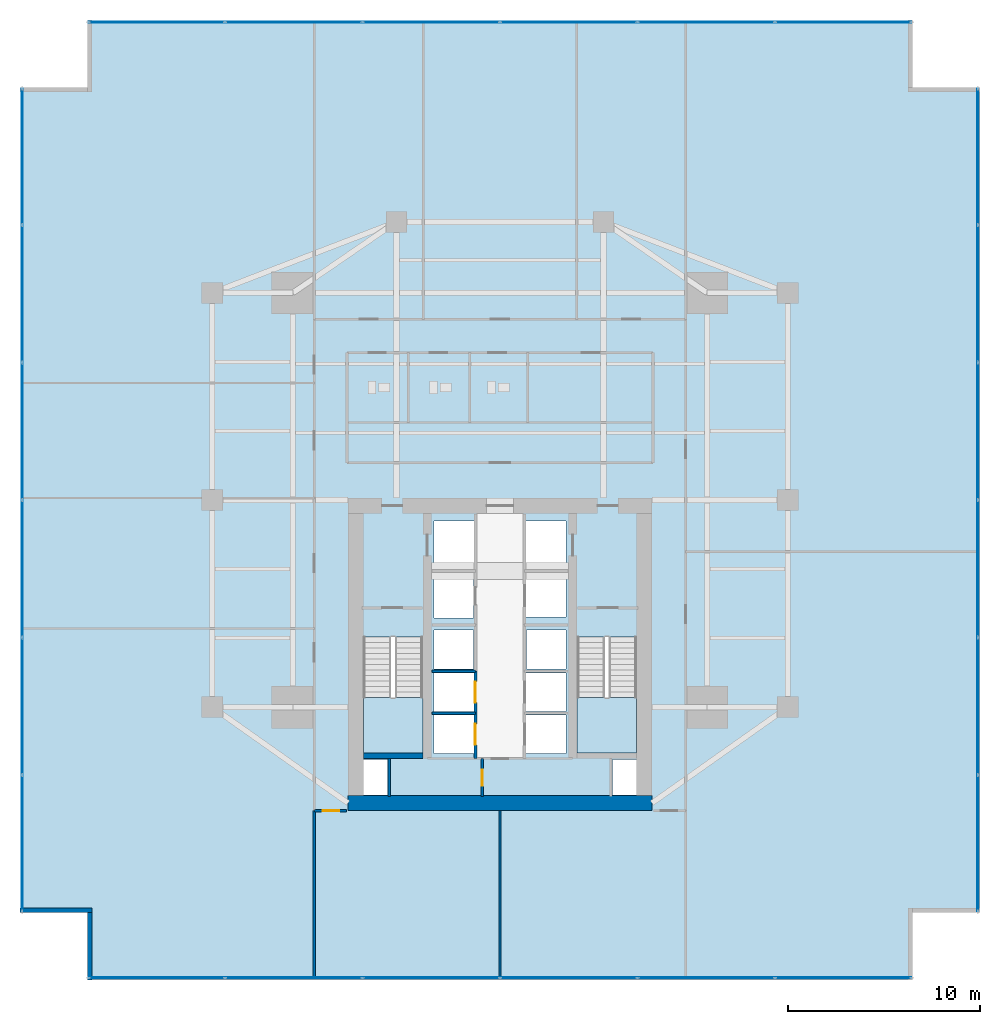
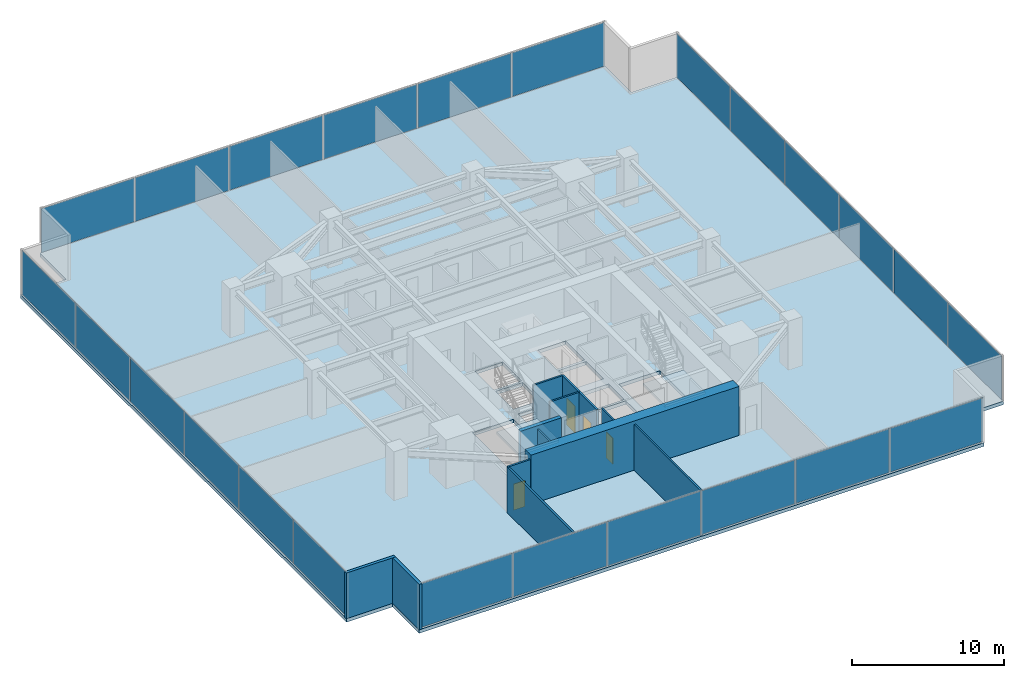
# One storey, part 24 of 28: 24 plates, 12 walls, 4 doors, 3 slabs, 4 openings, 6 elements without a shape of their own.
"""IFC4 building model written with IfcOpenShell, lengths in metres."""

from ifc_helpers import new_model, si_unit, direction, frame, frame_2d, origin, origin_2d, place, context, subcontext, project, spatial, polyline, rectangle, outline, extrude, source, transform, mapped, material, layer, layer_set, type_object, type_shapes, element, fill, aggregate, save


model = new_model("IFC4")

# Units and contexts
model_context = context("Model", 3, precision=1e-05, world=origin(), true_north=direction((0.0, 1.0)))
body_context = subcontext(model_context, "Body", "Model", "MODEL_VIEW")
ifc_project = project(units=[si_unit("LENGTHUNIT", "METRE"), si_unit("AREAUNIT", "SQUARE_METRE"), si_unit("VOLUMEUNIT", "CUBIC_METRE"), si_unit("PLANEANGLEUNIT", "RADIAN"), si_unit("MASSUNIT", "GRAM", prefix="KILO")], contexts=[model_context])

# Site, building, storey
site_placement = place(None, origin())
site = spatial("IfcSite", under=ifc_project, at=site_placement, CompositionType="ELEMENT")
building_placement = place(site_placement, origin())
building = spatial("IfcBuilding", under=site, at=building_placement, Name="Krantzveldt Concourse Tower", CompositionType="ELEMENT")
storey_placement = place(building_placement, frame((0.0, 0.0, 32.89990234375)))
storey = spatial("IfcBuildingStorey", under=building, at=storey_placement, Name="L07", CompositionType="ELEMENT", Elevation=32.89990234375)

# Stair, slab
ifc_material_1 = material(Name="Precast concrete C40/50", Category="concrete")
stair_type = type_object("IfcStairType", Name="STR-CORE-DOGLEG", PredefinedType="HALF_TURN_STAIR", material=ifc_material_1)
stair_1_placement = place(storey_placement, origin())
stair_1 = element("IfcStair", 1, at=stair_1_placement, inside=storey, type_object=stair_type, Name="L07 Protected Escape Stair ST-1", PredefinedType="HALF_TURN_STAIR")
ifc_layer_1 = layer(ifc_material_1, 0.199951171875, Name="Precast concrete C40/50", Category="concrete")
ifc_layer_set_1 = layer_set([ifc_layer_1], Name="Precast concrete C40/50 (SL-LANDING-200)")
slab_type_1 = type_object("IfcSlabType", Name="SL-LANDING-200", PredefinedType="LANDING", material=ifc_layer_set_1)
slab_1_placement = place(storey_placement, frame((0.0, 0.0, 1.775146484375)))
slab_1 = element("IfcSlab", 2, at=slab_1_placement, type_object=slab_type_1, Name="ST-1 landing 1", PredefinedType="LANDING", context=body_context, shape_type="SweptSolid", body=[
    extrude(outline(polyline([(28.8798828125, 16.4150390625), (28.8798828125, 13.52001953125), (31.97998046875, 13.52001953125), (31.97998046875, 16.4150390625), (28.8798828125, 16.4150390625)])), origin(), (0.0, 0.0, 1.0), 0.199951171875),
])
aggregate(stair_1, [slab_1])

stair_2_placement = place(storey_placement, origin())
stair_2 = element("IfcStair", 3, at=stair_2_placement, inside=storey, type_object=stair_type, Name="L07 Protected Escape Stair ST-2", PredefinedType="HALF_TURN_STAIR")
slab_2_placement = place(storey_placement, frame((0.0, 0.0, 1.775146484375)))
slab_2 = element("IfcSlab", 4, at=slab_2_placement, type_object=slab_type_1, Name="ST-2 landing 1", PredefinedType="LANDING", context=body_context, shape_type="SweptSolid", body=[
    extrude(outline(polyline([(40.02001953125, 16.4150390625), (40.02001953125, 13.52001953125), (43.1201171875, 13.52001953125), (43.1201171875, 16.4150390625), (40.02001953125, 16.4150390625)])), origin(), (0.0, 0.0, 1.0), 0.199951171875),
])
aggregate(stair_2, [slab_2])

# Slab
ifc_material_2 = material(Name="Concrete C40/50", Category="concrete")
ifc_layer_2 = layer(ifc_material_2, 0.280029296875, Name="Concrete C40/50", Category="concrete")
ifc_layer_set_2 = layer_set([ifc_layer_2], Name="Concrete C40/50 (SL-SL-TWR280)")
slab_type_2 = type_object("IfcSlabType", Name="SL-SL-TWR280", PredefinedType="FLOOR", material=ifc_layer_set_2)
slab_3_placement = place(storey_placement, frame((0.0, 0.0, -0.27978515625)))
element("IfcSlab", 5, at=slab_3_placement, inside=storey, type_object=slab_type_2, Name="SL-L07-MAIN", PredefinedType="FLOOR", context=body_context, shape_type="SweptSolid", body=[
    extrude(outline(polyline([(14.5, 48.199951171875), (11.0, 48.199951171875), (11.0, 5.199951171875), (14.5, 5.199951171875), (14.5, 1.699951171875), (57.5, 1.699951171875), (57.5, 5.199951171875), (61.0, 5.199951171875), (61.0, 48.199951171875), (57.5, 48.199951171875), (57.5, 51.699951171875), (14.5, 51.699951171875), (14.5, 48.199951171875)]), holes=[polyline([(28.8798828125, 19.547607421875), (28.8798828125, 13.52001953125), (31.97998046875, 13.52001953125), (31.97998046875, 19.547607421875), (28.8798828125, 19.547607421875)]), polyline([(40.02001953125, 19.547607421875), (40.02001953125, 13.52001953125), (43.1201171875, 13.52001953125), (43.1201171875, 19.547607421875), (40.02001953125, 19.547607421875)]), polyline([(32.550048828125, 23.10009765625), (34.64990234375, 23.10009765625), (34.64990234375, 25.60009765625), (32.550048828125, 25.60009765625), (32.550048828125, 23.10009765625)]), polyline([(37.35009765625, 23.10009765625), (39.449951171875, 23.10009765625), (39.449951171875, 25.60009765625), (37.35009765625, 25.60009765625), (37.35009765625, 23.10009765625)]), polyline([(37.35009765625, 20.60009765625), (39.449951171875, 20.60009765625), (39.449951171875, 22.89990234375), (37.35009765625, 22.89990234375), (37.35009765625, 20.60009765625)]), polyline([(32.550048828125, 13.47998046875), (34.64990234375, 13.47998046875), (34.64990234375, 15.47998046875), (32.550048828125, 15.47998046875), (32.550048828125, 13.47998046875)]), polyline([(32.550048828125, 15.679931640625), (34.64990234375, 15.679931640625), (34.64990234375, 17.679931640625), (32.550048828125, 17.679931640625), (32.550048828125, 15.679931640625)]), polyline([(37.35009765625, 13.47998046875), (39.449951171875, 13.47998046875), (39.449951171875, 15.47998046875), (37.35009765625, 15.47998046875), (37.35009765625, 13.47998046875)]), polyline([(37.35009765625, 15.679931640625), (39.449951171875, 15.679931640625), (39.449951171875, 17.679931640625), (37.35009765625, 17.679931640625), (37.35009765625, 15.679931640625)]), polyline([(32.550048828125, 20.550048828125), (34.6201171875, 20.550048828125), (34.6201171875, 22.89990234375), (32.550048828125, 22.89990234375), (32.550048828125, 20.550048828125)]), polyline([(32.550048828125, 17.8798828125), (34.6201171875, 17.8798828125), (34.6201171875, 19.919921875), (32.550048828125, 19.919921875), (32.550048828125, 17.8798828125)]), polyline([(37.3798828125, 17.8798828125), (39.449951171875, 17.8798828125), (39.449951171875, 19.919921875), (37.3798828125, 19.919921875), (37.3798828125, 17.8798828125)]), polyline([(28.8798828125, 11.320068359375), (30.139892578125, 11.320068359375), (30.139892578125, 13.159912109375), (28.8798828125, 13.159912109375), (28.8798828125, 11.320068359375)]), polyline([(41.860107421875, 11.320068359375), (43.1201171875, 11.320068359375), (43.1201171875, 13.159912109375), (41.860107421875, 13.159912109375), (41.860107421875, 11.320068359375)])]), origin(), (0.0, 0.0, 1.0), 0.27978515625),
])

# Curtain wall, plates
ifc_material_3 = material(Name="Anodised aluminium 6063-T6", Category="aluminium")
curtain_wall_type = type_object("IfcCurtainWallType", Name="CW2", PredefinedType="USERDEFINED", material=ifc_material_3)
curtain_wall_1_placement = place(storey_placement, origin())
curtain_wall_1 = element("IfcCurtainWall", 6, at=curtain_wall_1_placement, inside=storey, type_object=curtain_wall_type, Name="CW-L07-F01", ObjectType="UNITISED CURTAIN WALL", PredefinedType="USERDEFINED")
ifc_material_4 = material(Name="Bronze-tinted laminated low-E IGU glass", Category="glass")
ifc_layer_3 = layer(ifc_material_4, 0.031982421875, Name="Bronze-tinted laminated low-E IGU glass", Category="glass")
ifc_layer_set_3 = layer_set([ifc_layer_3], Name="Bronze-tinted laminated low-E IGU glass (CW-GLZ-32)")
plate_type = type_object("IfcPlateType", Name="CW-GLZ-32", PredefinedType="CURTAIN_PANEL", material=ifc_layer_set_3)
shared_shape_1 = source(origin(), body_context, "Body", "SweptSolid", [
    extrude(rectangle(XDim=7.061767578125, YDim=0.031982421875, at=origin_2d()), origin(), (0.0, 0.0, 1.0), 3.530029296875),
])
plate_1_placement = place(storey_placement, frame((11.090087890625, 44.59912109375, 0.0703125), z_axis=(0.0, 0.0, 1.0), x_axis=(0.0, -1.0, 0.0)))
plate_1 = element("IfcPlate", 7, at=plate_1_placement, type_object=plate_type, Name="CW-Z12 panel 1.1", PredefinedType="CURTAIN_PANEL", context=body_context, shape_type="MappedRepresentation", body=[
    mapped(shared_shape_1, transform((0.0, 0.0, 0.0), x_axis=(1.0, 0.0, 0.0), y_axis=(0.0, 1.0, 0.0), z_axis=(0.0, 0.0, 1.0), scale=1.0)),
])
plate_2_placement = place(storey_placement, frame((11.090087890625, 8.80078125, 0.0703125), z_axis=(0.0, 0.0, 1.0), x_axis=(0.0, -1.0, 0.0)))
plate_2 = element("IfcPlate", 8, at=plate_2_placement, type_object=plate_type, Name="CW-Z12 panel 6.1", PredefinedType="CURTAIN_PANEL", context=body_context, shape_type="MappedRepresentation", body=[
    mapped(shared_shape_1, transform((0.0, 0.0, 0.0), x_axis=(1.0, 0.0, 0.0), y_axis=(0.0, 1.0, 0.0), z_axis=(0.0, 0.0, 1.0), scale=1.0)),
])

curtain_wall_2_placement = place(storey_placement, origin())
curtain_wall_2 = element("IfcCurtainWall", 9, at=curtain_wall_2_placement, inside=storey, type_object=curtain_wall_type, Name="CW-L07-F04", ObjectType="UNITISED CURTAIN WALL", PredefinedType="USERDEFINED")
plate_3_placement = place(storey_placement, frame((18.100830078125, 1.7900390625, 0.0703125), z_axis=(0.0, 0.0, 1.0), x_axis=(1.0, 0.0, 0.0)))
plate_3 = element("IfcPlate", 10, at=plate_3_placement, type_object=plate_type, Name="CW-Z12 panel 1.1", PredefinedType="CURTAIN_PANEL", context=body_context, shape_type="MappedRepresentation", body=[
    mapped(shared_shape_1, transform((0.0, 0.0, 0.0), x_axis=(1.0, 0.0, 0.0), y_axis=(0.0, 1.0, 0.0), z_axis=(0.0, 0.0, 1.0), scale=1.0)),
])
plate_4_placement = place(storey_placement, frame((53.899169921875, 1.7900390625, 0.0703125), z_axis=(0.0, 0.0, 1.0), x_axis=(1.0, 0.0, 0.0)))
plate_4 = element("IfcPlate", 11, at=plate_4_placement, type_object=plate_type, Name="CW-Z12 panel 6.1", PredefinedType="CURTAIN_PANEL", context=body_context, shape_type="MappedRepresentation", body=[
    mapped(shared_shape_1, transform((0.0, 0.0, 0.0), x_axis=(1.0, 0.0, 0.0), y_axis=(0.0, 1.0, 0.0), z_axis=(0.0, 0.0, 1.0), scale=1.0)),
])

curtain_wall_3_placement = place(storey_placement, origin())
curtain_wall_3 = element("IfcCurtainWall", 12, at=curtain_wall_3_placement, inside=storey, type_object=curtain_wall_type, Name="CW-L07-F07", ObjectType="UNITISED CURTAIN WALL", PredefinedType="USERDEFINED")
plate_5_placement = place(storey_placement, frame((60.909912109375, 8.80078125, 0.0703125), z_axis=(0.0, 0.0, 1.0), x_axis=(0.0, 1.0, 0.0)))
plate_5 = element("IfcPlate", 13, at=plate_5_placement, type_object=plate_type, Name="CW-Z12 panel 1.1", PredefinedType="CURTAIN_PANEL", context=body_context, shape_type="MappedRepresentation", body=[
    mapped(shared_shape_1, transform((0.0, 0.0, 0.0), x_axis=(1.0, 0.0, 0.0), y_axis=(0.0, 1.0, 0.0), z_axis=(0.0, 0.0, 1.0), scale=1.0)),
])
plate_6_placement = place(storey_placement, frame((60.909912109375, 44.59912109375, 0.0703125), z_axis=(0.0, 0.0, 1.0), x_axis=(0.0, 1.0, 0.0)))
plate_6 = element("IfcPlate", 14, at=plate_6_placement, type_object=plate_type, Name="CW-Z12 panel 6.1", PredefinedType="CURTAIN_PANEL", context=body_context, shape_type="MappedRepresentation", body=[
    mapped(shared_shape_1, transform((0.0, 0.0, 0.0), x_axis=(1.0, 0.0, 0.0), y_axis=(0.0, 1.0, 0.0), z_axis=(0.0, 0.0, 1.0), scale=1.0)),
])

curtain_wall_4_placement = place(storey_placement, origin())
curtain_wall_4 = element("IfcCurtainWall", 15, at=curtain_wall_4_placement, inside=storey, type_object=curtain_wall_type, Name="CW-L07-F10", ObjectType="UNITISED CURTAIN WALL", PredefinedType="USERDEFINED")
plate_7_placement = place(storey_placement, frame((53.899169921875, 51.610107421875, 0.0703125), z_axis=(0.0, 0.0, 1.0), x_axis=(-1.0, 0.0, 0.0)))
plate_7 = element("IfcPlate", 16, at=plate_7_placement, type_object=plate_type, Name="CW-Z12 panel 1.1", PredefinedType="CURTAIN_PANEL", context=body_context, shape_type="MappedRepresentation", body=[
    mapped(shared_shape_1, transform((0.0, 0.0, 0.0), x_axis=(1.0, 0.0, 0.0), y_axis=(0.0, 1.0, 0.0), z_axis=(0.0, 0.0, 1.0), scale=1.0)),
])
plate_8_placement = place(storey_placement, frame((18.100830078125, 51.610107421875, 0.0703125), z_axis=(0.0, 0.0, 1.0), x_axis=(-1.0, 0.0, 0.0)))
plate_8 = element("IfcPlate", 17, at=plate_8_placement, type_object=plate_type, Name="CW-Z12 panel 6.1", PredefinedType="CURTAIN_PANEL", context=body_context, shape_type="MappedRepresentation", body=[
    mapped(shared_shape_1, transform((0.0, 0.0, 0.0), x_axis=(1.0, 0.0, 0.0), y_axis=(0.0, 1.0, 0.0), z_axis=(0.0, 0.0, 1.0), scale=1.0)),
])

# Plate
shared_shape_2 = source(origin(), body_context, "Body", "SweptSolid", [
    extrude(rectangle(XDim=7.0966796875, YDim=0.031982421875, at=origin_2d()), origin(), (0.0, 0.0, 1.0), 3.530029296875),
])
type_shapes(plate_type, [shared_shape_1, shared_shape_2])
plate_9_placement = place(storey_placement, frame((11.090087890625, 37.449951171875, 0.0703125), z_axis=(0.0, 0.0, 1.0), x_axis=(0.0, -1.0, 0.0)))
plate_9 = element("IfcPlate", 18, at=plate_9_placement, type_object=plate_type, Name="CW-Z12 panel 2.1", PredefinedType="CURTAIN_PANEL", context=body_context, shape_type="MappedRepresentation", body=[
    mapped(shared_shape_2, transform((0.0, 0.0, 0.0), x_axis=(1.0, 0.0, 0.0), y_axis=(0.0, 1.0, 0.0), z_axis=(0.0, 0.0, 1.0), scale=1.0)),
])

plate_10_placement = place(storey_placement, frame((11.090087890625, 30.283447265625, 0.0703125), z_axis=(0.0, 0.0, 1.0), x_axis=(0.0, -1.0, 0.0)))
plate_10 = element("IfcPlate", 19, at=plate_10_placement, type_object=plate_type, Name="CW-Z12 panel 3.1", PredefinedType="CURTAIN_PANEL", context=body_context, shape_type="MappedRepresentation", body=[
    mapped(shared_shape_2, transform((0.0, 0.0, 0.0), x_axis=(1.0, 0.0, 0.0), y_axis=(0.0, 1.0, 0.0), z_axis=(0.0, 0.0, 1.0), scale=1.0)),
])

plate_11_placement = place(storey_placement, frame((11.090087890625, 23.11669921875, 0.0703125), z_axis=(0.0, 0.0, 1.0), x_axis=(0.0, -1.0, 0.0)))
plate_11 = element("IfcPlate", 20, at=plate_11_placement, type_object=plate_type, Name="CW-Z12 panel 4.1", PredefinedType="CURTAIN_PANEL", context=body_context, shape_type="MappedRepresentation", body=[
    mapped(shared_shape_2, transform((0.0, 0.0, 0.0), x_axis=(1.0, 0.0, 0.0), y_axis=(0.0, 1.0, 0.0), z_axis=(0.0, 0.0, 1.0), scale=1.0)),
])

plate_12_placement = place(storey_placement, frame((11.090087890625, 15.949951171875, 0.0703125), z_axis=(0.0, 0.0, 1.0), x_axis=(0.0, -1.0, 0.0)))
plate_12 = element("IfcPlate", 21, at=plate_12_placement, type_object=plate_type, Name="CW-Z12 panel 5.1", PredefinedType="CURTAIN_PANEL", context=body_context, shape_type="MappedRepresentation", body=[
    mapped(shared_shape_2, transform((0.0, 0.0, 0.0), x_axis=(1.0, 0.0, 0.0), y_axis=(0.0, 1.0, 0.0), z_axis=(0.0, 0.0, 1.0), scale=1.0)),
])

aggregate(curtain_wall_1, [plate_1, plate_9, plate_10, plate_11, plate_12, plate_2])

plate_13_placement = place(storey_placement, frame((25.25, 1.7900390625, 0.0703125), z_axis=(0.0, 0.0, 1.0), x_axis=(1.0, 0.0, 0.0)))
plate_13 = element("IfcPlate", 22, at=plate_13_placement, type_object=plate_type, Name="CW-Z12 panel 2.1", PredefinedType="CURTAIN_PANEL", context=body_context, shape_type="MappedRepresentation", body=[
    mapped(shared_shape_2, transform((0.0, 0.0, 0.0), x_axis=(1.0, 0.0, 0.0), y_axis=(0.0, 1.0, 0.0), z_axis=(0.0, 0.0, 1.0), scale=1.0)),
])

plate_14_placement = place(storey_placement, frame((32.416748046875, 1.7900390625, 0.0703125), z_axis=(0.0, 0.0, 1.0), x_axis=(1.0, 0.0, 0.0)))
plate_14 = element("IfcPlate", 23, at=plate_14_placement, type_object=plate_type, Name="CW-Z12 panel 3.1", PredefinedType="CURTAIN_PANEL", context=body_context, shape_type="MappedRepresentation", body=[
    mapped(shared_shape_2, transform((0.0, 0.0, 0.0), x_axis=(1.0, 0.0, 0.0), y_axis=(0.0, 1.0, 0.0), z_axis=(0.0, 0.0, 1.0), scale=1.0)),
])

plate_15_placement = place(storey_placement, frame((39.583251953125, 1.7900390625, 0.0703125), z_axis=(0.0, 0.0, 1.0), x_axis=(1.0, 0.0, 0.0)))
plate_15 = element("IfcPlate", 24, at=plate_15_placement, type_object=plate_type, Name="CW-Z12 panel 4.1", PredefinedType="CURTAIN_PANEL", context=body_context, shape_type="MappedRepresentation", body=[
    mapped(shared_shape_2, transform((0.0, 0.0, 0.0), x_axis=(1.0, 0.0, 0.0), y_axis=(0.0, 1.0, 0.0), z_axis=(0.0, 0.0, 1.0), scale=1.0)),
])

plate_16_placement = place(storey_placement, frame((46.75, 1.7900390625, 0.0703125), z_axis=(0.0, 0.0, 1.0), x_axis=(1.0, 0.0, 0.0)))
plate_16 = element("IfcPlate", 25, at=plate_16_placement, type_object=plate_type, Name="CW-Z12 panel 5.1", PredefinedType="CURTAIN_PANEL", context=body_context, shape_type="MappedRepresentation", body=[
    mapped(shared_shape_2, transform((0.0, 0.0, 0.0), x_axis=(1.0, 0.0, 0.0), y_axis=(0.0, 1.0, 0.0), z_axis=(0.0, 0.0, 1.0), scale=1.0)),
])

aggregate(curtain_wall_2, [plate_3, plate_13, plate_14, plate_15, plate_16, plate_4])

plate_17_placement = place(storey_placement, frame((60.909912109375, 15.949951171875, 0.0703125), z_axis=(0.0, 0.0, 1.0), x_axis=(0.0, 1.0, 0.0)))
plate_17 = element("IfcPlate", 26, at=plate_17_placement, type_object=plate_type, Name="CW-Z12 panel 2.1", PredefinedType="CURTAIN_PANEL", context=body_context, shape_type="MappedRepresentation", body=[
    mapped(shared_shape_2, transform((0.0, 0.0, 0.0), x_axis=(1.0, 0.0, 0.0), y_axis=(0.0, 1.0, 0.0), z_axis=(0.0, 0.0, 1.0), scale=1.0)),
])

plate_18_placement = place(storey_placement, frame((60.909912109375, 23.11669921875, 0.0703125), z_axis=(0.0, 0.0, 1.0), x_axis=(0.0, 1.0, 0.0)))
plate_18 = element("IfcPlate", 27, at=plate_18_placement, type_object=plate_type, Name="CW-Z12 panel 3.1", PredefinedType="CURTAIN_PANEL", context=body_context, shape_type="MappedRepresentation", body=[
    mapped(shared_shape_2, transform((0.0, 0.0, 0.0), x_axis=(1.0, 0.0, 0.0), y_axis=(0.0, 1.0, 0.0), z_axis=(0.0, 0.0, 1.0), scale=1.0)),
])

plate_19_placement = place(storey_placement, frame((60.909912109375, 30.283447265625, 0.0703125), z_axis=(0.0, 0.0, 1.0), x_axis=(0.0, 1.0, 0.0)))
plate_19 = element("IfcPlate", 28, at=plate_19_placement, type_object=plate_type, Name="CW-Z12 panel 4.1", PredefinedType="CURTAIN_PANEL", context=body_context, shape_type="MappedRepresentation", body=[
    mapped(shared_shape_2, transform((0.0, 0.0, 0.0), x_axis=(1.0, 0.0, 0.0), y_axis=(0.0, 1.0, 0.0), z_axis=(0.0, 0.0, 1.0), scale=1.0)),
])

plate_20_placement = place(storey_placement, frame((60.909912109375, 37.449951171875, 0.0703125), z_axis=(0.0, 0.0, 1.0), x_axis=(0.0, 1.0, 0.0)))
plate_20 = element("IfcPlate", 29, at=plate_20_placement, type_object=plate_type, Name="CW-Z12 panel 5.1", PredefinedType="CURTAIN_PANEL", context=body_context, shape_type="MappedRepresentation", body=[
    mapped(shared_shape_2, transform((0.0, 0.0, 0.0), x_axis=(1.0, 0.0, 0.0), y_axis=(0.0, 1.0, 0.0), z_axis=(0.0, 0.0, 1.0), scale=1.0)),
])

aggregate(curtain_wall_3, [plate_5, plate_17, plate_18, plate_19, plate_20, plate_6])

plate_21_placement = place(storey_placement, frame((46.75, 51.610107421875, 0.0703125), z_axis=(0.0, 0.0, 1.0), x_axis=(-1.0, 0.0, 0.0)))
plate_21 = element("IfcPlate", 30, at=plate_21_placement, type_object=plate_type, Name="CW-Z12 panel 2.1", PredefinedType="CURTAIN_PANEL", context=body_context, shape_type="MappedRepresentation", body=[
    mapped(shared_shape_2, transform((0.0, 0.0, 0.0), x_axis=(1.0, 0.0, 0.0), y_axis=(0.0, 1.0, 0.0), z_axis=(0.0, 0.0, 1.0), scale=1.0)),
])

plate_22_placement = place(storey_placement, frame((39.583251953125, 51.610107421875, 0.0703125), z_axis=(0.0, 0.0, 1.0), x_axis=(-1.0, 0.0, 0.0)))
plate_22 = element("IfcPlate", 31, at=plate_22_placement, type_object=plate_type, Name="CW-Z12 panel 3.1", PredefinedType="CURTAIN_PANEL", context=body_context, shape_type="MappedRepresentation", body=[
    mapped(shared_shape_2, transform((0.0, 0.0, 0.0), x_axis=(1.0, 0.0, 0.0), y_axis=(0.0, 1.0, 0.0), z_axis=(0.0, 0.0, 1.0), scale=1.0)),
])

plate_23_placement = place(storey_placement, frame((32.416748046875, 51.610107421875, 0.0703125), z_axis=(0.0, 0.0, 1.0), x_axis=(-1.0, 0.0, 0.0)))
plate_23 = element("IfcPlate", 32, at=plate_23_placement, type_object=plate_type, Name="CW-Z12 panel 4.1", PredefinedType="CURTAIN_PANEL", context=body_context, shape_type="MappedRepresentation", body=[
    mapped(shared_shape_2, transform((0.0, 0.0, 0.0), x_axis=(1.0, 0.0, 0.0), y_axis=(0.0, 1.0, 0.0), z_axis=(0.0, 0.0, 1.0), scale=1.0)),
])

plate_24_placement = place(storey_placement, frame((25.25, 51.610107421875, 0.0703125), z_axis=(0.0, 0.0, 1.0), x_axis=(-1.0, 0.0, 0.0)))
plate_24 = element("IfcPlate", 33, at=plate_24_placement, type_object=plate_type, Name="CW-Z12 panel 5.1", PredefinedType="CURTAIN_PANEL", context=body_context, shape_type="MappedRepresentation", body=[
    mapped(shared_shape_2, transform((0.0, 0.0, 0.0), x_axis=(1.0, 0.0, 0.0), y_axis=(0.0, 1.0, 0.0), z_axis=(0.0, 0.0, 1.0), scale=1.0)),
])

aggregate(curtain_wall_4, [plate_7, plate_21, plate_22, plate_23, plate_24, plate_8])

# Walls
ifc_layer_4 = layer(ifc_material_3, 0.219970703125, Name="Anodised aluminium 6063-T6", Category="aluminium")
ifc_layer_set_4 = layer_set([ifc_layer_4], Name="Anodised aluminium 6063-T6 (WL-EXT-NOTCH220)")
wall_type_1 = type_object("IfcWallType", Name="WL-EXT-NOTCH220", PredefinedType="ELEMENTEDWALL", material=ifc_layer_set_4)
wall_1_placement = place(storey_placement, frame((10.97509765625, 5.31005859375, 0.0), z_axis=(0.0, 0.0, 1.0), x_axis=(1.0, 0.0, 0.0)))
element("IfcWall", 34, at=wall_1_placement, inside=storey, type_object=wall_type_1, Name="EW-L07-NCH02", PredefinedType="ELEMENTEDWALL", context=body_context, shape_type="SweptSolid", body=[
    extrude(rectangle(XDim=3.744873046875, YDim=0.219970703125, at=frame_2d((1.87255859375, 0.0))), origin(), (0.0, 0.0, 1.0), 3.670166015625),
])
wall_2_placement = place(storey_placement, frame((14.610107421875, 5.199951171875, 0.0), z_axis=(0.0, 0.0, 1.0), x_axis=(0.0, -1.0, 0.0)))
element("IfcWall", 35, at=wall_2_placement, inside=storey, type_object=wall_type_1, Name="EW-L07-NCH03", PredefinedType="ELEMENTEDWALL", context=body_context, shape_type="SweptSolid", body=[
    extrude(rectangle(XDim=3.52490234375, YDim=0.219970703125, at=frame_2d((1.762451171875, 0.0))), origin(), (0.0, 0.0, 1.0), 3.670166015625),
])

# Wall, opening, door
ifc_material_5 = material(Name="Fire-rated gypsum plasterboard on steel stud", Category="steel")
ifc_layer_5 = layer(ifc_material_5, 0.1201171875, Name="Fire-rated gypsum plasterboard on steel stud", Category="steel")
ifc_layer_set_5 = layer_set([ifc_layer_5], Name="Fire-rated gypsum plasterboard on steel stud (WL-PART-120)")
wall_type_2 = type_object("IfcWallType", Name="WL-PART-120", PredefinedType="PARTITIONING", material=ifc_layer_set_5)
wall_3_placement = place(storey_placement, frame((35.080078125, 11.25, 0.0), z_axis=(0.0, 0.0, 1.0), x_axis=(0.0, 1.0, 0.0)))
wall_3 = element("IfcWall", 36, at=wall_3_placement, inside=storey, type_object=wall_type_2, Name="WP-L07-CSA-V", PredefinedType="PARTITIONING", context=body_context, shape_type="SweptSolid", body=[
    extrude(rectangle(XDim=1.969970703125, YDim=0.1201171875, at=frame_2d((0.98486328125, 0.0))), origin(), (0.0, 0.0, 1.0), 3.670166015625),
])
opening_1_placement = place(wall_3_placement, frame((0.544921875, 0.0, 0.0)))
opening_1 = element("IfcOpeningElement", 37, at=opening_1_placement, cuts=wall_3, Name="Opening D-IN085", PredefinedType="OPENING", context=body_context, shape_type="SweptSolid", body=[
    extrude(rectangle(XDim=0.85009765625, YDim=2.10009765625, at=frame_2d((0.425048828125, 1.050048828125))), frame((0.0, 0.070068359375, 0.0), z_axis=(0.0, -1.0, 0.0), x_axis=(1.0, 0.0, 0.0)), (0.0, 0.0, 1.0), 0.14013671875),
])
ifc_material_6 = material(Name="Hardwood timber", Category="wood")
door_type_1 = type_object("IfcDoorType", Name="DR-INT-850", OperationType="SINGLE_SWING_LEFT", PredefinedType="DOOR", material=ifc_material_6)
door_1_placement = place(opening_1_placement, origin())
door_1 = element("IfcDoor", 38, at=door_1_placement, inside=storey, type_object=door_type_1, Name="DR-L07-CSA1", OperationType="SINGLE_SWING_LEFT", OverallHeight=2.10009765625, OverallWidth=0.85009765625, PredefinedType="DOOR", context=body_context, shape_type="SweptSolid", body=[
    extrude(rectangle(XDim=0.85009765625, YDim=2.10009765625, at=frame_2d((0.425048828125, 1.050048828125))), frame((0.0, 0.02490234375, 0.0), z_axis=(0.0, -1.0, 0.0), x_axis=(1.0, 0.0, 0.0)), (0.0, 0.0, 1.0), 0.050048828125),
])
fill(opening_1, door_1)

# Wall
wall_4_placement = place(storey_placement, frame((36.0, 1.7900390625, 0.0), z_axis=(0.0, 0.0, 1.0), x_axis=(0.0, 1.0, 0.0)))
element("IfcWall", 39, at=wall_4_placement, inside=storey, type_object=wall_type_2, Name="WP-L07-SMD", PredefinedType="PARTITIONING", context=body_context, shape_type="SweptSolid", body=[
    extrude(rectangle(XDim=8.7099609375, YDim=0.1201171875, at=frame_2d((4.35498046875, 0.0))), origin(), (0.0, 0.0, 1.0), 3.670166015625),
])

# Wall, opening, door
ifc_layer_6 = layer(ifc_material_5, 0.139892578125, Name="Fire-rated gypsum plasterboard on steel stud", Category="steel")
ifc_layer_set_6 = layer_set([ifc_layer_6], Name="Fire-rated gypsum plasterboard on steel stud (WL-PART-140)")
wall_type_3 = type_object("IfcWallType", Name="WL-PART-140", PredefinedType="PARTITIONING", material=ifc_layer_set_6)
wall_5_placement = place(storey_placement, frame((26.320068359375, 10.5, 0.0), z_axis=(0.0, 0.0, 1.0), x_axis=(1.0, 0.0, 0.0)))
wall_5 = element("IfcWall", 40, at=wall_5_placement, inside=storey, type_object=wall_type_3, Name="WP-L07-CWBOT", PredefinedType="PARTITIONING", context=body_context, shape_type="SweptSolid", body=[
    extrude(rectangle(XDim=1.679931640625, YDim=0.139892578125, at=frame_2d((0.83984375, 0.0))), origin(), (0.0, 0.0, 1.0), 3.670166015625),
])
opening_2_placement = place(wall_5_placement, frame((0.445068359375, 0.0, 0.0)))
opening_2 = element("IfcOpeningElement", 41, at=opening_2_placement, cuts=wall_5, Name="Opening D-IN085", PredefinedType="OPENING", context=body_context, shape_type="SweptSolid", body=[
    extrude(rectangle(XDim=0.85009765625, YDim=2.10009765625, at=frame_2d((0.425048828125, 1.050048828125))), frame((0.0, 0.080078125, 0.0), z_axis=(0.0, -1.0, 0.0), x_axis=(1.0, 0.0, 0.0)), (0.0, 0.0, 1.0), 0.159912109375),
])
door_2_placement = place(opening_2_placement, origin())
door_2 = element("IfcDoor", 42, at=door_2_placement, inside=storey, type_object=door_type_1, Name="DR-L07-SR1", OperationType="SINGLE_SWING_LEFT", OverallHeight=2.10009765625, OverallWidth=0.85009765625, PredefinedType="DOOR", context=body_context, shape_type="SweptSolid", body=[
    extrude(rectangle(XDim=0.85009765625, YDim=2.10009765625, at=frame_2d((0.425048828125, 1.050048828125))), frame((0.0, 0.02490234375, 0.0), z_axis=(0.0, -1.0, 0.0), x_axis=(1.0, 0.0, 0.0)), (0.0, 0.0, 1.0), 0.050048828125),
])
fill(opening_2, door_2)

# Walls
wall_6_placement = place(storey_placement, frame((26.320068359375, 1.7900390625, 0.0), z_axis=(0.0, 0.0, 1.0), x_axis=(0.0, 1.0, 0.0)))
element("IfcWall", 43, at=wall_6_placement, inside=storey, type_object=wall_type_3, Name="WP-L07-SWL", PredefinedType="PARTITIONING", context=body_context, shape_type="SweptSolid", body=[
    extrude(rectangle(XDim=8.7099609375, YDim=0.139892578125, at=frame_2d((4.35498046875, 0.0))), origin(), (0.0, 0.0, 1.0), 3.670166015625),
])
ifc_layer_7 = layer(ifc_material_5, 0.139892578125, Name="Fire-rated gypsum plasterboard on steel stud", Category="steel")
ifc_layer_set_7 = layer_set([ifc_layer_7], Name="Fire-rated gypsum plasterboard on steel stud (WL-PART-FR140)")
wall_type_4 = type_object("IfcWallType", Name="WL-PART-FR140", PredefinedType="PARTITIONING", material=ifc_layer_set_7)
wall_7_placement = place(storey_placement, frame((32.449951171875, 17.780029296875, 0.0), z_axis=(0.0, 0.0, 1.0), x_axis=(1.0, 0.0, 0.0)))
element("IfcWall", 44, at=wall_7_placement, inside=storey, type_object=wall_type_4, Name="WP-L07-DIVW2", PredefinedType="PARTITIONING", context=body_context, shape_type="SweptSolid", body=[
    extrude(rectangle(XDim=2.27001953125, YDim=0.139892578125, at=frame_2d((1.135009765625, 0.0))), origin(), (0.0, 0.0, 1.0), 3.670166015625),
])

# Wall, openings, doors
wall_8_placement = place(storey_placement, frame((34.719970703125, 13.219970703125, 0.0), z_axis=(0.0, 0.0, 1.0), x_axis=(0.0, 1.0, 0.0)))
wall_8 = element("IfcWall", 45, at=wall_8_placement, inside=storey, type_object=wall_type_4, Name="WP-L07-SHSW", PredefinedType="PARTITIONING", context=body_context, shape_type="SweptSolid", body=[
    extrude(rectangle(XDim=4.56005859375, YDim=0.139892578125, at=frame_2d((2.280029296875, 0.0))), origin(), (0.0, 0.0, 1.0), 3.670166015625),
])
opening_3_placement = place(wall_8_placement, frame((0.7099609375, 0.0, 0.0)))
opening_3 = element("IfcOpeningElement", 46, at=opening_3_placement, cuts=wall_8, Name="Opening LD", PredefinedType="OPENING", context=body_context, shape_type="SweptSolid", body=[
    extrude(rectangle(XDim=1.10009765625, YDim=2.14990234375, at=frame_2d((0.550048828125, 1.074951171875))), frame((0.0, 0.080078125, 0.0), z_axis=(0.0, -1.0, 0.0), x_axis=(1.0, 0.0, 0.0)), (0.0, 0.0, 1.0), 0.159912109375),
])
opening_4_placement = place(wall_8_placement, frame((2.909912109375, 0.0, 0.0)))
opening_4 = element("IfcOpeningElement", 47, at=opening_4_placement, cuts=wall_8, Name="Opening LD", PredefinedType="OPENING", context=body_context, shape_type="SweptSolid", body=[
    extrude(rectangle(XDim=1.10009765625, YDim=2.14990234375, at=frame_2d((0.550048828125, 1.074951171875))), frame((0.0, 0.080078125, 0.0), z_axis=(0.0, -1.0, 0.0), x_axis=(1.0, 0.0, 0.0)), (0.0, 0.0, 1.0), 0.159912109375),
])
ifc_material_7 = material(Name="Stainless steel 316L", Category="steel")
door_type_2 = type_object("IfcDoorType", Name="DR-SLIDE-LD1100", OperationType="DOUBLE_DOOR_SLIDING", PredefinedType="DOOR", material=ifc_material_7)
door_3_placement = place(opening_3_placement, origin())
door_3 = element("IfcDoor", 48, at=door_3_placement, inside=storey, type_object=door_type_2, Name="LD-L07-PL1", OperationType="DOUBLE_DOOR_SLIDING", OverallHeight=2.14990234375, OverallWidth=1.10009765625, PredefinedType="DOOR", context=body_context, shape_type="SweptSolid", body=[
    extrude(rectangle(XDim=1.10009765625, YDim=2.14990234375, at=frame_2d((0.550048828125, 1.074951171875))), frame((0.0, 0.02490234375, 0.0), z_axis=(0.0, -1.0, 0.0), x_axis=(1.0, 0.0, 0.0)), (0.0, 0.0, 1.0), 0.050048828125),
])
fill(opening_3, door_3)
door_4_placement = place(opening_4_placement, origin())
door_4 = element("IfcDoor", 49, at=door_4_placement, inside=storey, type_object=door_type_2, Name="LD-L07-PL2", OperationType="DOUBLE_DOOR_SLIDING", OverallHeight=2.14990234375, OverallWidth=1.10009765625, PredefinedType="DOOR", context=body_context, shape_type="SweptSolid", body=[
    extrude(rectangle(XDim=1.10009765625, YDim=2.14990234375, at=frame_2d((0.550048828125, 1.074951171875))), frame((0.0, 0.02490234375, 0.0), z_axis=(0.0, -1.0, 0.0), x_axis=(1.0, 0.0, 0.0)), (0.0, 0.0, 1.0), 0.050048828125),
])
fill(opening_4, door_4)

# Walls
wall_9_placement = place(storey_placement, frame((32.449951171875, 15.580078125, 0.0), z_axis=(0.0, 0.0, 1.0), x_axis=(1.0, 0.0, 0.0)))
element("IfcWall", 50, at=wall_9_placement, inside=storey, type_object=wall_type_4, Name="WP-L07-DIVW1", PredefinedType="PARTITIONING", context=body_context, shape_type="SweptSolid", body=[
    extrude(rectangle(XDim=2.27001953125, YDim=0.139892578125, at=frame_2d((1.135009765625, 0.0))), origin(), (0.0, 0.0, 1.0), 3.670166015625),
])
wall_10_placement = place(storey_placement, frame((30.219970703125, 11.25, 0.0), z_axis=(0.0, 0.0, 1.0), x_axis=(0.0, 1.0, 0.0)))
element("IfcWall", 51, at=wall_10_placement, inside=storey, type_object=wall_type_4, Name="WP-L07-RSW", PredefinedType="PARTITIONING", context=body_context, shape_type="SweptSolid", body=[
    extrude(rectangle(XDim=1.969970703125, YDim=0.1201171875, at=frame_2d((0.98486328125, 0.0))), origin(), (0.0, 0.0, 1.0), 3.670166015625),
])
ifc_material_8 = material(Name="Concrete C50/60", Category="concrete")
ifc_layer_8 = layer(ifc_material_8, 0.300048828125, Name="Concrete C50/60", Category="concrete")
ifc_layer_set_8 = layer_set([ifc_layer_8], Name="Concrete C50/60 (WL-SHEAR-300)")
wall_type_5 = type_object("IfcWallType", Name="WL-SHEAR-300", PredefinedType="SHEAR", material=ifc_layer_set_8)
wall_11_placement = place(storey_placement, frame((28.8798828125, 13.3701171875, 0.0), z_axis=(0.0, 0.0, 1.0), x_axis=(1.0, 0.0, 0.0)))
element("IfcWall", 52, at=wall_11_placement, inside=storey, type_object=wall_type_5, Name="CW-L07-ST1S", PredefinedType="SHEAR", context=body_context, shape_type="SweptSolid", body=[
    extrude(rectangle(XDim=3.10009765625, YDim=0.300048828125, at=frame_2d((1.550048828125, 0.0))), origin(), (0.0, 0.0, 1.0), 3.9501953125),
])
ifc_material_9 = material(Name="Concrete C60/75", Category="concrete")
ifc_layer_9 = layer(ifc_material_9, 0.800048828125, Name="Concrete C60/75", Category="concrete")
ifc_layer_set_9 = layer_set([ifc_layer_9], Name="Concrete C60/75 (WL-SHEAR-800)")
wall_type_6 = type_object("IfcWallType", Name="WL-SHEAR-800", PredefinedType="SHEAR", material=ifc_layer_set_9)
wall_12_placement = place(storey_placement, frame((28.080078125, 10.89990234375, 0.0), z_axis=(0.0, 0.0, 1.0), x_axis=(1.0, 0.0, 0.0)))
element("IfcWall", 53, at=wall_12_placement, inside=storey, type_object=wall_type_6, Name="CW-L07-S", PredefinedType="SHEAR", context=body_context, shape_type="SweptSolid", body=[
    extrude(rectangle(XDim=15.83984375, YDim=0.800048828125, at=frame_2d((7.919921875, 0.0))), origin(), (0.0, 0.0, 1.0), 3.9501953125),
])

save(model, "model.ifc")
